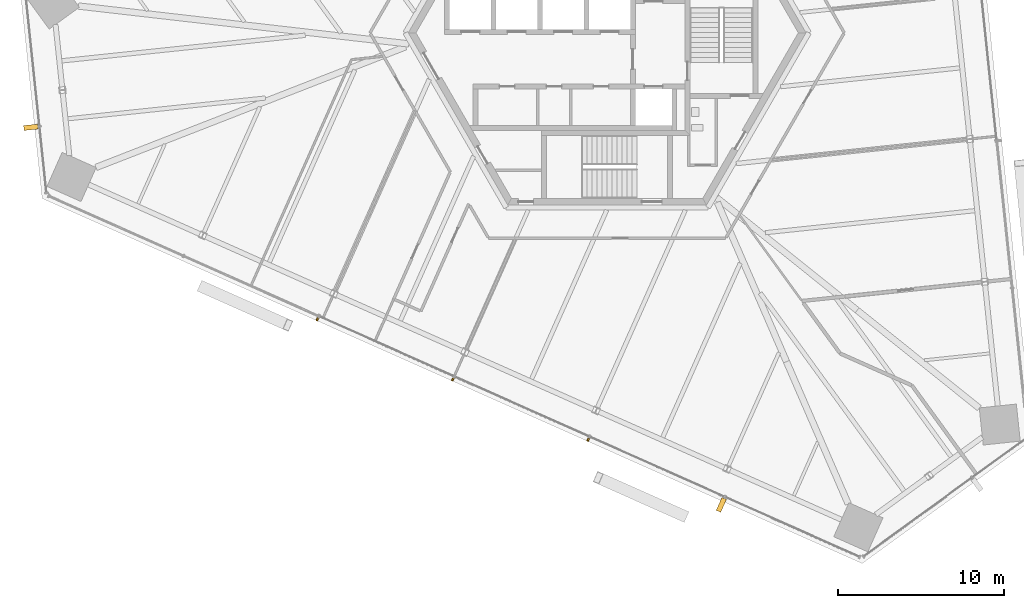
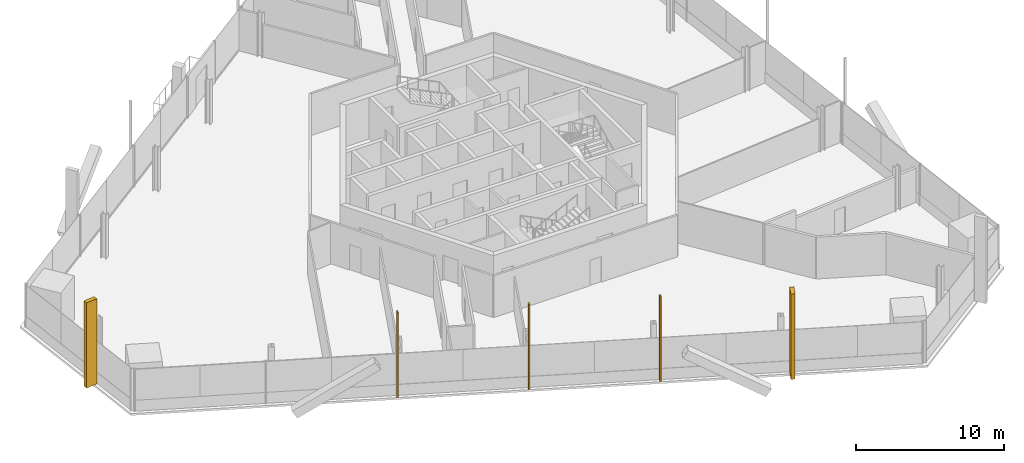
# One storey, part 15 of 21: 5 shading devices.
"""IFC4 building model written with IfcOpenShell, lengths in metres."""

from ifc_helpers import new_model, si_unit, direction, frame, origin, origin_2d, place, context, subcontext, project, spatial, rectangle, extrude, source, transform, mapped, material, element, save


model = new_model("IFC4")

# Units and contexts
model_context = context("Model", 3, precision=1e-05, world=origin(), true_north=direction((0.0, 1.0)))
body_context = subcontext(model_context, "Body", "Model", "MODEL_VIEW")
ifc_project = project(units=[si_unit("LENGTHUNIT", "METRE"), si_unit("AREAUNIT", "SQUARE_METRE"), si_unit("VOLUMEUNIT", "CUBIC_METRE"), si_unit("PLANEANGLEUNIT", "RADIAN"), si_unit("MASSUNIT", "GRAM", prefix="KILO")], contexts=[model_context])

# Site, building, storey
site_placement = place(None, origin())
site = spatial("IfcSite", under=ifc_project, at=site_placement, CompositionType="ELEMENT")
building_placement = place(site_placement, origin())
building = spatial("IfcBuilding", under=site, at=building_placement, Name="Triune Harvest Tower", CompositionType="ELEMENT")
storey_placement = place(building_placement, frame((0.0, 0.0, 65.699951171875)))
storey = spatial("IfcBuildingStorey", under=building, at=storey_placement, Name="L15", CompositionType="ELEMENT", Elevation=65.699951171875)

# Shading devices
ifc_material = material(Name="Aluminium bronze anodised", Category="aluminium")
shared_shape_1 = source(origin(), body_context, "Body", "SweptSolid", [
    extrude(rectangle(XDim=0.10009765625, YDim=0.199951171875, at=origin_2d()), origin(), (0.0, 0.0, 1.0), 7.0400390625),
])
for number, where, z_axis, x_axis, name in (
    (1, (-17.4814453125, -17.281494140625, 0.0), (0.0, 0.0, 1.0), (0.913545207137, -0.406737205721, 0.0), "FN-1 fin B2-F5.5 L15"),
    (2, (-9.313232421875, -20.918212890625, 0.0), (0.0, 0.0, 1.0), (0.913545207137, -0.406737205721, 0.0), "FN-1 fin B2-F5.7 L15"),
    (3, (-1.145263671875, -24.554931640625, 0.0), (0.0, 0.0, 1.0), (0.913545207137, -0.406737205721, 0.0), "FN-1 fin B2-F5.9 L15"),
):
    element("IfcShadingDevice", number, at=place(storey_placement, frame(where, z_axis=z_axis, x_axis=x_axis)), inside=storey, material=ifc_material, Name=name, ObjectType="FIN", PredefinedType="USERDEFINED", context=body_context, shape_type="MappedRepresentation", body=[
        mapped(shared_shape_1, transform((0.0, 0.0, 0.0), scale=1.0)),
    ])
shared_shape_2 = source(origin(), body_context, "Body", "SweptSolid", [
    extrude(rectangle(XDim=0.300048828125, YDim=0.85009765625, at=origin_2d()), origin(), (0.0, 0.0, 1.0), 7.0400390625),
])
for number, where, z_axis, x_axis, name in (
    (4, (-34.77587890625, -5.703125, 0.0), (0.0, 0.0, 1.0), (0.104529462601, -0.994521790334, 0.0), "FN-2 fin B2-F4.3 L15"),
    (5, (6.890869140625, -28.488525390625, 0.0), (0.0, 0.0, 1.0), (0.913545207137, -0.406737205721, 0.0), "FN-2 fin B2-F5.11 L15"),
):
    element("IfcShadingDevice", number, at=place(storey_placement, frame(where, z_axis=z_axis, x_axis=x_axis)), inside=storey, material=ifc_material, Name=name, ObjectType="FIN", PredefinedType="USERDEFINED", context=body_context, shape_type="MappedRepresentation", body=[
        mapped(shared_shape_2, transform((0.0, 0.0, 0.0), scale=1.0)),
    ])

save(model, "model.ifc")
